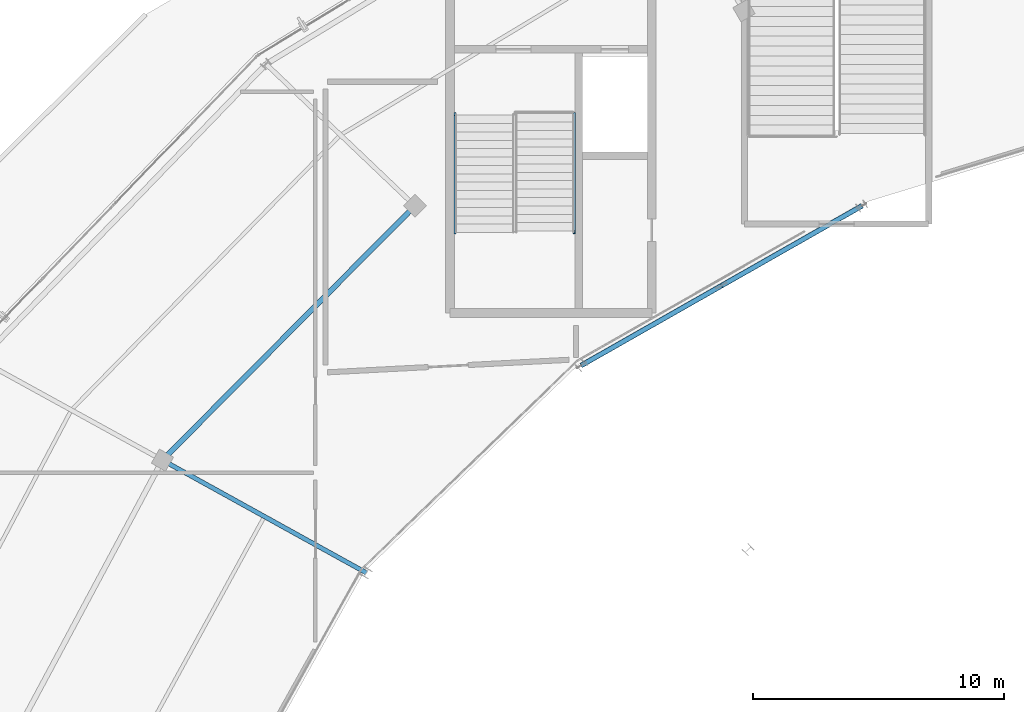
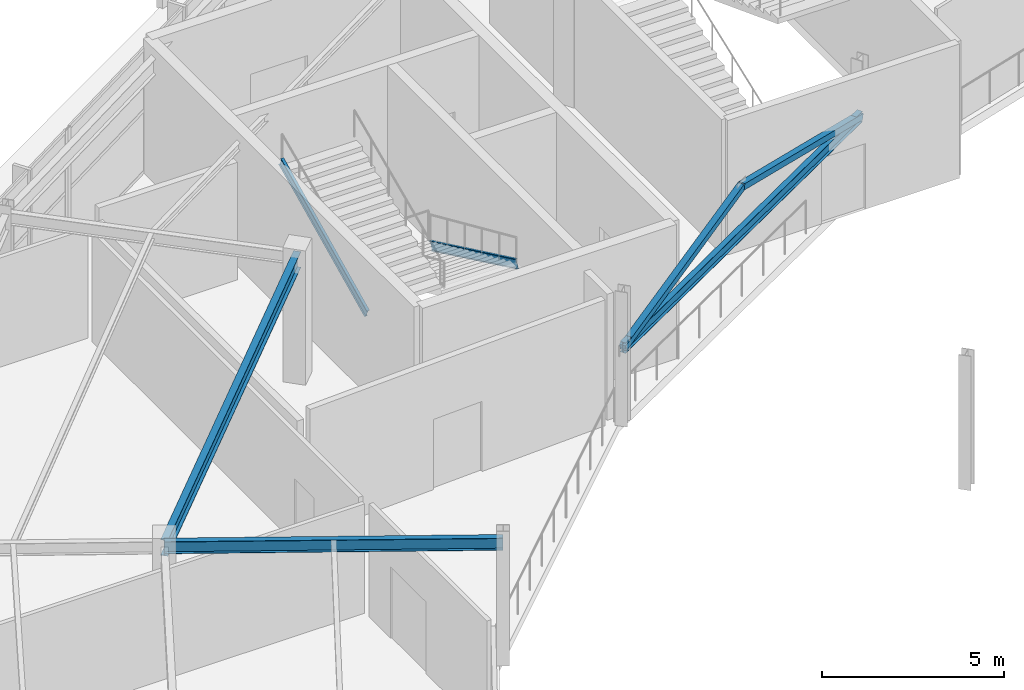
# One storey, part 60 of 126: 4 members, 3 beams.
"""IFC4 building model written with IfcOpenShell, lengths in metres."""

from ifc_helpers import new_model, si_unit, direction, frame, origin, origin_2d, place, context, subcontext, project, spatial, hollow_rectangle, i_section, extrude, material, material_profile, profile_set, type_object, element, save


model = new_model("IFC4")

# Units and contexts
model_context = context("Model", 3, precision=1e-05, world=origin(), true_north=direction((0.0, 1.0)))
body_context = subcontext(model_context, "Body", "Model", "MODEL_VIEW")
ifc_project = project(units=[si_unit("LENGTHUNIT", "METRE"), si_unit("AREAUNIT", "SQUARE_METRE"), si_unit("VOLUMEUNIT", "CUBIC_METRE"), si_unit("PLANEANGLEUNIT", "RADIAN"), si_unit("MASSUNIT", "GRAM", prefix="KILO")], contexts=[model_context])

# Site, building, storey
site_placement = place(None, origin())
site = spatial("IfcSite", under=ifc_project, at=site_placement, CompositionType="ELEMENT")
building_placement = place(site_placement, origin())
building = spatial("IfcBuilding", under=site, at=building_placement, Name="Kalgoora Escarpment Arena", CompositionType="ELEMENT")
storey_placement = place(building_placement, frame((0.0, 0.0, 18.89990234375)))
storey = spatial("IfcBuildingStorey", under=building, at=storey_placement, Name="L04", CompositionType="ELEMENT", Elevation=18.89990234375)

# Beams
ifc_material_1 = material(Name="Structural steel AS/NZS 3679 (300 MPa)", Category="steel")
ifc_material_profile_1 = material_profile(ifc_material_1, i_section(OverallWidth=0.1708984375, OverallDepth=0.35205078125, WebThickness=0.0068359375, FlangeThickness=0.009765625, at=origin_2d()))
ifc_profile_set_1 = profile_set([ifc_material_profile_1], Name="Structural steel AS/NZS 3679 (300 MPa)")
beam_type_1 = type_object("IfcBeamType", Name="BM-BEAM-360UB44.7", PredefinedType="BEAM", material=ifc_profile_set_1)
beam_1_placement = place(storey_placement, frame((65.39990234375, 98.64111328125, 2.524169921875), z_axis=(-0.869369098708, -0.494163303182, 0.0), x_axis=(0.494163303182, -0.869369098708, 0.0)))
element("IfcBeam", 1, at=beam_1_placement, inside=storey, type_object=beam_type_1, Name="L04 Portal brace collector beam 360UB44.7", PredefinedType="BEAM", context=body_context, shape_type="SweptSolid", body=[
    extrude(i_section(OverallWidth=0.1708984375, OverallDepth=0.35205078125, WebThickness=0.0068359375, FlangeThickness=0.009765625, at=origin_2d()), origin(), (0.0, 0.0, 1.0), 12.864013671875),
])
ifc_material_2 = material(Name="Structural steel AS/NZS 3679 (300 MPa)", Category="steel")
ifc_material_profile_2 = material_profile(ifc_material_2, i_section(OverallWidth=0.177978515625, OverallDepth=0.406005859375, WebThickness=0.0078125, FlangeThickness=0.0126953125, at=origin_2d()))
ifc_profile_set_2 = profile_set([ifc_material_profile_2], Name="Structural steel AS/NZS 3679 (300 MPa)")
beam_type_2 = type_object("IfcBeamType", Name="BM-GIRDER-410UB59.7", PredefinedType="USERDEFINED", material=ifc_profile_set_2)
beam_2_placement = place(storey_placement, frame((45.634521484375, 84.0, 4.01708984375), z_axis=(-0.875185387072, 0.483787699571, 0.0), x_axis=(-0.483787699571, -0.875185387072, 0.0)))
element("IfcBeam", 2, at=beam_2_placement, inside=storey, type_object=beam_type_2, Name="L04 Radial concourse girder 410UB59.7", ObjectType="GIRDER", PredefinedType="USERDEFINED", context=body_context, shape_type="SweptSolid", body=[
    extrude(i_section(OverallWidth=0.177978515625, OverallDepth=0.406005859375, WebThickness=0.0078125, FlangeThickness=0.0126953125, at=origin_2d()), origin(), (0.0, 0.0, 1.0), 9.301513671875),
])
ifc_material_3 = material(Name="Structural steel AS/NZS 3679 (300 MPa)", Category="steel")
ifc_material_profile_3 = material_profile(ifc_material_3, i_section(OverallWidth=0.208984375, OverallDepth=0.532958984375, WebThickness=0.01025390625, FlangeThickness=0.015625, at=origin_2d()))
ifc_profile_set_3 = profile_set([ifc_material_profile_3], Name="Structural steel AS/NZS 3679 (300 MPa)")
beam_type_3 = type_object("IfcBeamType", Name="BM-GIRDER-530UB92.4", PredefinedType="USERDEFINED", material=ifc_profile_set_3)
beam_3_placement = place(storey_placement, frame((47.5693359375, 98.648193359375, 3.95361328125), z_axis=(-0.704558426859, -0.709645984377, 0.0), x_axis=(0.709645984377, -0.704558426859, 0.0)))
element("IfcBeam", 3, at=beam_3_placement, inside=storey, type_object=beam_type_3, Name="L04 Circumferential concourse girder RCONC1 530UB92.4", ObjectType="GIRDER", PredefinedType="USERDEFINED", context=body_context, shape_type="SweptSolid", body=[
    extrude(i_section(OverallWidth=0.208984375, OverallDepth=0.532958984375, WebThickness=0.01025390625, FlangeThickness=0.015625, at=origin_2d()), origin(), (0.0, 0.0, 1.0), 14.30029296875),
])

# Members
ifc_material_4 = material(Name="Structural steel C350 (350 MPa)", Category="steel")
ifc_material_profile_4 = material_profile(ifc_material_4, hollow_rectangle(XDim=0.199951171875, YDim=0.199951171875, WallThickness=0.009033203125, at=origin_2d()))
ifc_profile_set_4 = profile_set([ifc_material_profile_4], Name="Structural steel C350 (350 MPa)")
member_type_1 = type_object("IfcMemberType", Name="MEM-BRACE-SHS200", PredefinedType="BRACE", material=ifc_profile_set_4)
for number, where, z_axis, x_axis, name in (
    (4, (65.39990234375, 98.64111328125, 2.52001953125), (-0.845769222656, -0.480748756102, 0.231419652392), (0.494163303182, -0.869369098708, 0.0), "L04 concentric lateral brace R09-1"),
    (5, (54.21630859375, 92.2841796875, 2.52001953125), (0.845769222656, 0.480748756102, 0.231419652392), (-0.494163303182, 0.869369098708, 0.0), "L04 concentric lateral brace R09-2"),
):
    element("IfcMember", number, at=place(storey_placement, frame(where, z_axis=z_axis, x_axis=x_axis)), inside=storey, type_object=member_type_1, Name=name, PredefinedType="BRACE", context=body_context, shape_type="SweptSolid", body=[
        extrude(hollow_rectangle(XDim=0.199951171875, YDim=0.199951171875, WallThickness=0.009033203125, at=origin_2d()), origin(), (0.0, 0.0, 1.0), 6.611572265625),
    ])
ifc_material_5 = material(Name="Structural steel AS/NZS 3679 (300 MPa)", Category="steel")
ifc_material_profile_5 = material_profile(ifc_material_5, i_section(OverallWidth=0.090087890625, OverallDepth=0.300048828125, WebThickness=0.008056640625, FlangeThickness=0.01611328125, at=origin_2d()))
ifc_profile_set_5 = profile_set([ifc_material_profile_5], Name="Structural steel AS/NZS 3679 (300 MPa)")
member_type_2 = type_object("IfcMemberType", Name="MEM-STRINGER-PFC", PredefinedType="STRINGER", material=ifc_profile_set_5)
for number, where, z_axis, x_axis, name in (
    (6, (53.929931640625, 102.31005859375, -0.039794921875), (0.0, -0.902682652253, 0.430306901317), (1.0, 0.0, 0.0), "ST03 L04 steel stair stringer 1"),
    (7, (49.169921875, 97.590087890625, 2.210205078125), (0.0, 0.902682652253, 0.430306901317), (-1.0, 0.0, 0.0), "ST03 L04 steel stair stringer 2"),
):
    element("IfcMember", number, at=place(storey_placement, frame(where, z_axis=z_axis, x_axis=x_axis)), inside=storey, type_object=member_type_2, Name=name, PredefinedType="STRINGER", context=body_context, shape_type="SweptSolid", body=[
        extrude(i_section(OverallWidth=0.090087890625, OverallDepth=0.300048828125, WebThickness=0.008056640625, FlangeThickness=0.01611328125, at=origin_2d()), origin(), (0.0, 0.0, 1.0), 5.228759765625),
    ])

save(model, "model.ifc")
